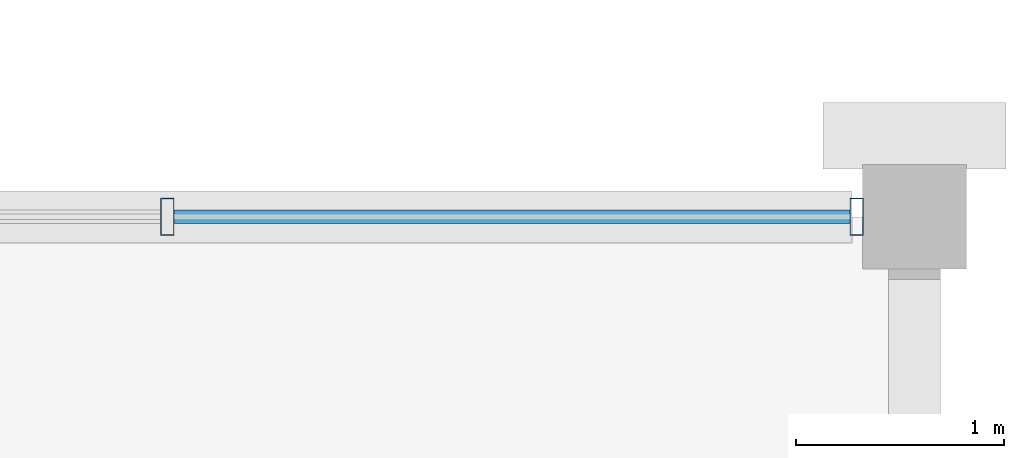
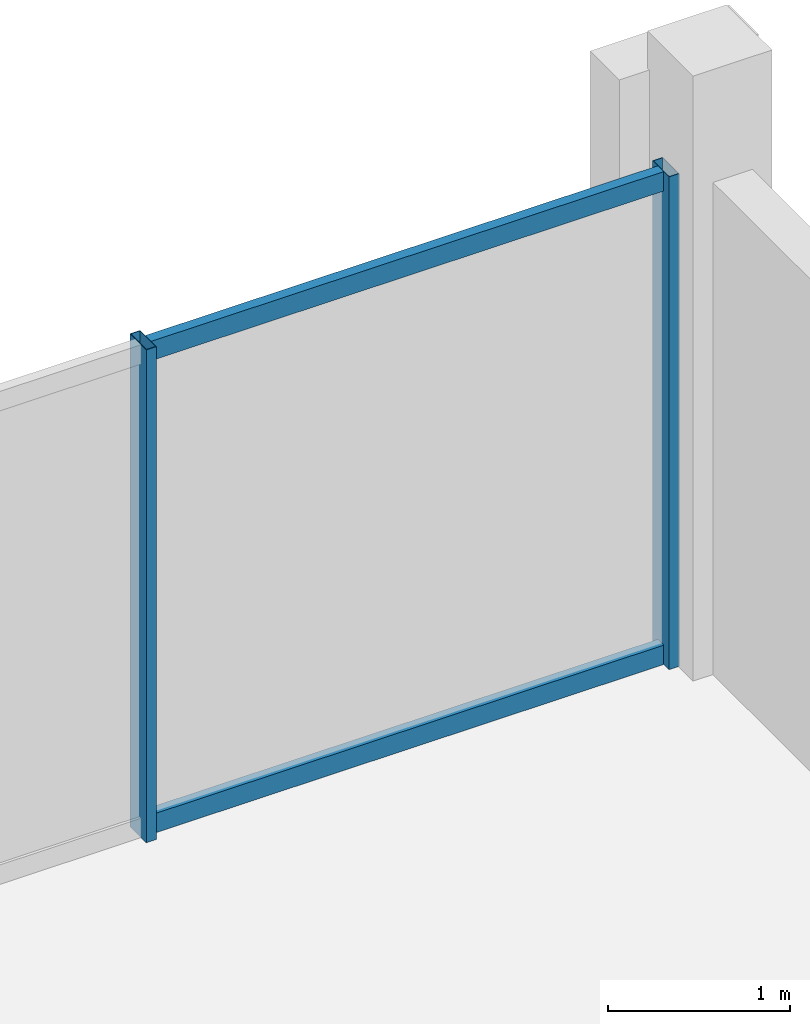
# One storey, part 28 of 59: 4 members, 1 element without a shape of its own.
"""IFC4 building model written with IfcOpenShell, lengths in metres."""

from ifc_helpers import new_model, si_unit, direction, frame, origin, origin_2d, place, context, subcontext, project, spatial, hollow_rectangle, extrude, material, layer, layer_set, material_profile, profile_set, type_object, element, aggregate, save


model = new_model("IFC4")

# Units and contexts
model_context = context("Model", 3, precision=1e-05, world=origin(), true_north=direction((0.0, 1.0)))
body_context = subcontext(model_context, "Body", "Model", "MODEL_VIEW")
ifc_project = project(units=[si_unit("LENGTHUNIT", "METRE"), si_unit("AREAUNIT", "SQUARE_METRE"), si_unit("VOLUMEUNIT", "CUBIC_METRE"), si_unit("PLANEANGLEUNIT", "RADIAN"), si_unit("MASSUNIT", "GRAM", prefix="KILO")], contexts=[model_context])

# Site, building, storey
site_placement = place(None, origin())
site = spatial("IfcSite", under=ifc_project, at=site_placement, CompositionType="ELEMENT")
building_placement = place(site_placement, origin())
building = spatial("IfcBuilding", under=site, at=building_placement, Name="Kangsadwip Square Police Headquarters", CompositionType="ELEMENT")
storey_placement = place(building_placement, frame((0.0, 0.0, 21.60009765625)))
storey = spatial("IfcBuildingStorey", under=building, at=storey_placement, Name="L05", CompositionType="ELEMENT", Elevation=21.60009765625)

# Curtain wall, members
ifc_material_1 = material(Name="Thermally broken anodised aluminium AW-6063-T6", Category="aluminium")
ifc_layer = layer(ifc_material_1, 0.159912109375)
ifc_layer_set = layer_set([ifc_layer], Name="Thermally broken anodised aluminium AW-6063-T6")
curtain_wall_type = type_object("IfcCurtainWallType", Name="UnitisedCw6685x3300", PredefinedType="NOTDEFINED", material=ifc_layer_set)
curtain_wall_placement = place(storey_placement, origin())
curtain_wall = element("IfcCurtainWall", 1, at=curtain_wall_placement, inside=storey, type_object=curtain_wall_type, Name="Curtain Wall CW-L05-1587-1152", PredefinedType="NOTDEFINED")
ifc_material_2 = material(Name="Thermally broken anodised aluminium AW-6063-T6", Category="aluminium")
ifc_material_profile_1 = material_profile(ifc_material_2, hollow_rectangle(XDim=0.06494140625, YDim=0.179931640625, WallThickness=0.00390625, at=origin_2d()), Name="CWM 180X65X4")
ifc_profile_set_1 = profile_set([ifc_material_profile_1], Name="Thermally broken anodised aluminium AW-6063-T6")
member_type_1 = type_object("IfcMemberType", Name="CwMullion160x65", PredefinedType="MULLION", material=ifc_profile_set_1)
member_1_placement = place(storey_placement, frame((162.012451171875, 115.199951171875, 0.0), z_axis=(0.0, 0.0, 1.0), x_axis=(1.0, 0.0, 0.0)))
member_1 = element("IfcMember", 2, at=member_1_placement, type_object=member_type_1, Name="CW-51 mullion 2", PredefinedType="MULLION", context=body_context, shape_type="SweptSolid", body=[
    extrude(hollow_rectangle(XDim=0.06494140625, YDim=0.179931640625, WallThickness=0.00390625, at=origin_2d()), origin(), (0.0, 0.0, 1.0), 3.2998046875),
])
member_2_placement = place(storey_placement, frame((165.322509765625, 115.199951171875, 0.0), z_axis=(0.0, 0.0, 1.0), x_axis=(1.0, 0.0, 0.0)))
member_2 = element("IfcMember", 3, at=member_2_placement, type_object=member_type_1, Name="CW-51 mullion 3", PredefinedType="MULLION", context=body_context, shape_type="SweptSolid", body=[
    extrude(hollow_rectangle(XDim=0.06494140625, YDim=0.179931640625, WallThickness=0.00390625, at=origin_2d()), origin(), (0.0, 0.0, 1.0), 3.2998046875),
])
ifc_material_3 = material(Name="Thermally broken anodised aluminium AW-6063-T6", Category="aluminium")
ifc_material_profile_2 = material_profile(ifc_material_3, hollow_rectangle(XDim=0.06494140625, YDim=0.1298828125, WallThickness=0.00390625, at=origin_2d()), Name="CWT 130X65X4")
ifc_profile_set_2 = profile_set([ifc_material_profile_2], Name="Thermally broken anodised aluminium AW-6063-T6")
member_type_2 = type_object("IfcMemberType", Name="CwTransom140x60", PredefinedType="USERDEFINED", material=ifc_profile_set_2)
member_3_placement = place(storey_placement, frame((162.044921875, 115.199951171875, 0.06494140625), z_axis=(1.0, 0.0, 0.0), x_axis=(0.0, 1.0, 0.0)))
member_3 = element("IfcMember", 4, at=member_3_placement, type_object=member_type_2, Name="CW-51 transom 2.1", ObjectType="TRANSOM", PredefinedType="USERDEFINED", context=body_context, shape_type="SweptSolid", body=[
    extrude(hollow_rectangle(XDim=0.06494140625, YDim=0.1298828125, WallThickness=0.00390625, at=origin_2d()), origin(), (0.0, 0.0, 1.0), 3.2451171875),
])
member_4_placement = place(storey_placement, frame((162.044921875, 115.199951171875, 3.23486328125), z_axis=(1.0, 0.0, 0.0), x_axis=(0.0, 1.0, 0.0)))
member_4 = element("IfcMember", 5, at=member_4_placement, type_object=member_type_2, Name="CW-51 transom 2.2", ObjectType="TRANSOM", PredefinedType="USERDEFINED", context=body_context, shape_type="SweptSolid", body=[
    extrude(hollow_rectangle(XDim=0.06494140625, YDim=0.1298828125, WallThickness=0.00390625, at=origin_2d()), origin(), (0.0, 0.0, 1.0), 3.2451171875),
])
aggregate(curtain_wall, [member_1, member_2, member_3, member_4])

save(model, "model.ifc")
